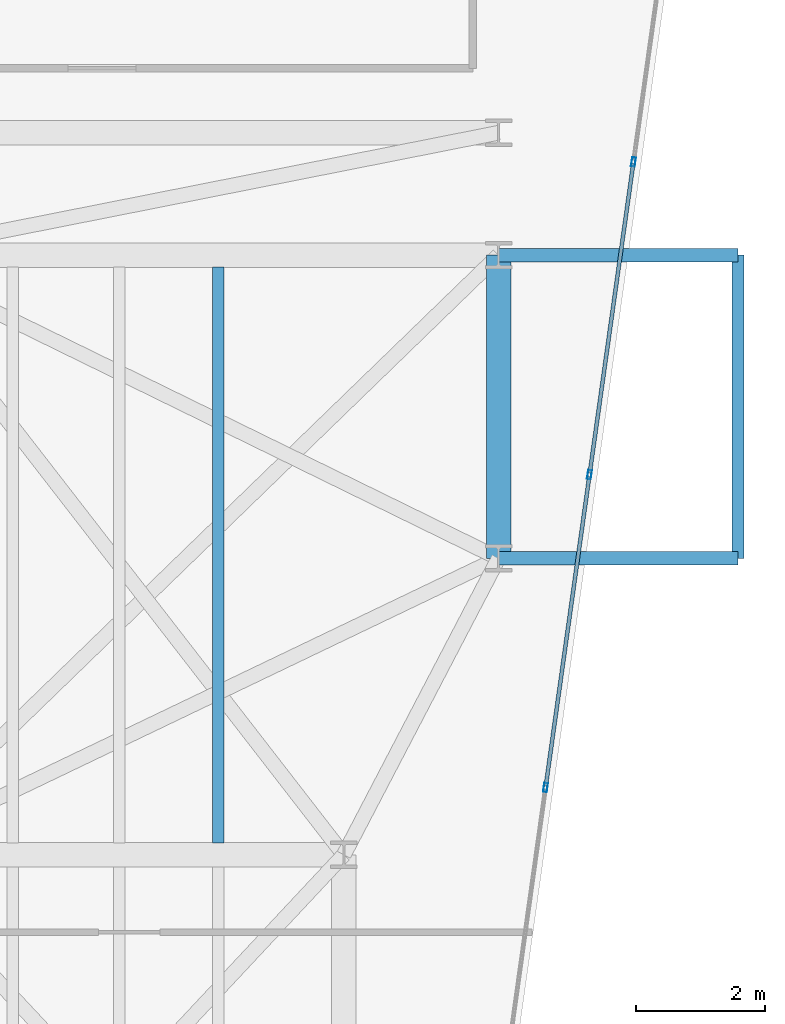
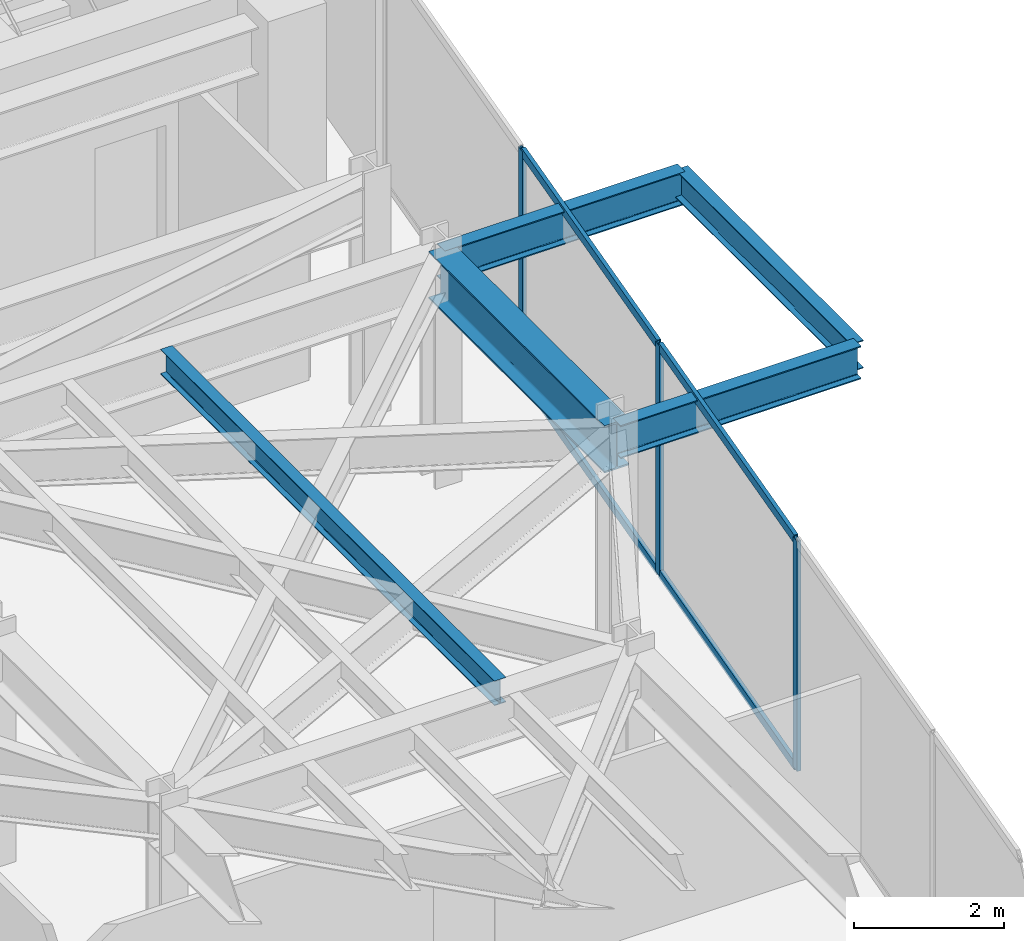
# One storey, part 14 of 21: 7 members, 5 beams, 1 element without a shape of its own.
"""IFC4 building model written with IfcOpenShell, lengths in metres."""

from ifc_helpers import new_model, si_unit, direction, frame, origin, origin_2d, place, context, subcontext, project, spatial, hollow_rectangle, i_section, extrude, material, layer, layer_set, material_profile, profile_set, type_object, element, aggregate, save


model = new_model("IFC4")

# Units and contexts
model_context = context("Model", 3, precision=1e-05, world=origin(), true_north=direction((0.0, 1.0)))
body_context = subcontext(model_context, "Body", "Model", "MODEL_VIEW")
ifc_project = project(units=[si_unit("LENGTHUNIT", "METRE"), si_unit("AREAUNIT", "SQUARE_METRE"), si_unit("VOLUMEUNIT", "CUBIC_METRE"), si_unit("PLANEANGLEUNIT", "RADIAN"), si_unit("MASSUNIT", "GRAM", prefix="KILO")], contexts=[model_context])

# Site, building, storey
site_placement = place(None, origin())
site = spatial("IfcSite", under=ifc_project, at=site_placement, CompositionType="ELEMENT")
building_placement = place(site_placement, origin())
building = spatial("IfcBuilding", under=site, at=building_placement, Name="Kravanh Interchange Tower", CompositionType="ELEMENT")
storey_placement = place(building_placement, frame((0.0, 0.0, 160.5)))
storey = spatial("IfcBuildingStorey", under=building, at=storey_placement, Name="L38", CompositionType="ELEMENT", Elevation=160.5)

# Curtain wall, members
ifc_material_1 = material(Name="Anodised Bronze Aluminium", Category="aluminium")
ifc_layer = layer(ifc_material_1, 0.179931640625)
ifc_layer_set = layer_set([ifc_layer], Name="Unitised Curtain Wall System CW-Z3 Upper Office")
curtain_wall_type = type_object("IfcCurtainWallType", Name="Unitised Curtain Wall System CW-Z3 Upper Office", PredefinedType="NOTDEFINED", material=ifc_layer_set)
curtain_wall_placement = place(storey_placement, origin())
curtain_wall = element("IfcCurtainWall", 1, at=curtain_wall_placement, inside=storey, type_object=curtain_wall_type, Name="L38 Unitised Curtain Wall CW-L38-01", PredefinedType="NOTDEFINED")
ifc_material_2 = material(Name="Anodised Bronze Aluminium", Category="aluminium")
ifc_material_profile_1 = material_profile(ifc_material_2, hollow_rectangle(XDim=0.06005859375, YDim=0.139892578125, WallThickness=0.00390625, at=origin_2d()), Name="ALU60X140X4")
ifc_profile_set_1 = profile_set([ifc_material_profile_1], Name="Anodised Bronze Aluminium")
member_type_1 = type_object("IfcMemberType", Name="Curtain Wall Mullion ALU60X140X4 Bronze", PredefinedType="MULLION", material=ifc_profile_set_1)
member_1_placement = place(storey_placement, frame((67.693115234375, 32.9482421875, 0.0), z_axis=(0.0, 0.0, 1.0), x_axis=(0.990268194035, -0.139172209446, 0.0)))
member_1 = element("IfcMember", 2, at=member_1_placement, type_object=member_type_1, Name="CW-Z3 mullion 2", PredefinedType="MULLION", context=body_context, shape_type="SweptSolid", body=[
    extrude(hollow_rectangle(XDim=0.06005859375, YDim=0.139892578125, WallThickness=0.00390625, at=origin_2d()), origin(), (0.0, 0.0, 1.0), 3.7548828125),
])
member_2_placement = place(storey_placement, frame((67.01123046875, 28.09619140625, 0.0), z_axis=(0.0, 0.0, 1.0), x_axis=(0.990268194035, -0.139172209446, 0.0)))
member_2 = element("IfcMember", 3, at=member_2_placement, type_object=member_type_1, Name="CW-Z3 mullion 3", PredefinedType="MULLION", context=body_context, shape_type="SweptSolid", body=[
    extrude(hollow_rectangle(XDim=0.06005859375, YDim=0.139892578125, WallThickness=0.00390625, at=origin_2d()), origin(), (0.0, 0.0, 1.0), 3.7548828125),
])
member_3_placement = place(storey_placement, frame((66.329345703125, 23.244384765625, 0.0), z_axis=(0.0, 0.0, 1.0), x_axis=(0.990268194035, -0.139172209446, 0.0)))
member_3 = element("IfcMember", 4, at=member_3_placement, type_object=member_type_1, Name="CW-Z3 mullion 4", PredefinedType="MULLION", context=body_context, shape_type="SweptSolid", body=[
    extrude(hollow_rectangle(XDim=0.06005859375, YDim=0.139892578125, WallThickness=0.00390625, at=origin_2d()), origin(), (0.0, 0.0, 1.0), 3.7548828125),
])
ifc_material_3 = material(Name="Anodised Bronze Aluminium", Category="aluminium")
ifc_material_profile_2 = material_profile(ifc_material_3, hollow_rectangle(XDim=0.06005859375, YDim=0.139892578125, WallThickness=0.00390625, at=origin_2d()), Name="ALU60X140X4")
ifc_profile_set_2 = profile_set([ifc_material_profile_2], Name="Anodised Bronze Aluminium")
member_type_2 = type_object("IfcMemberType", Name="Curtain Wall Transom ALU60X140X4 Bronze", PredefinedType="USERDEFINED", material=ifc_profile_set_2)
member_4_placement = place(storey_placement, frame((67.68896484375, 32.91845703125, 0.030029296875), z_axis=(-0.139182174391, -0.990266793512, 0.0), x_axis=(0.990266793512, -0.139182174391, 0.0)))
member_4 = element("IfcMember", 5, at=member_4_placement, type_object=member_type_2, Name="CW-Z3 transom 2.1", ObjectType="TRANSOM", PredefinedType="USERDEFINED", context=body_context, shape_type="SweptSolid", body=[
    extrude(hollow_rectangle(XDim=0.06005859375, YDim=0.139892578125, WallThickness=0.00390625, at=origin_2d()), origin(), (0.0, 0.0, 1.0), 4.839599609375),
])
member_5_placement = place(storey_placement, frame((67.68896484375, 32.91845703125, 3.72509765625), z_axis=(-0.139182174391, -0.990266793512, 0.0), x_axis=(0.990266793512, -0.139182174391, 0.0)))
member_5 = element("IfcMember", 6, at=member_5_placement, type_object=member_type_2, Name="CW-Z3 transom 2.2", ObjectType="TRANSOM", PredefinedType="USERDEFINED", context=body_context, shape_type="SweptSolid", body=[
    extrude(hollow_rectangle(XDim=0.06005859375, YDim=0.139892578125, WallThickness=0.00390625, at=origin_2d()), origin(), (0.0, 0.0, 1.0), 4.839599609375),
])
member_6_placement = place(storey_placement, frame((67.007080078125, 28.066650390625, 0.030029296875), z_axis=(-0.139182174391, -0.990266793512, 0.0), x_axis=(0.990266793512, -0.139182174391, 0.0)))
member_6 = element("IfcMember", 7, at=member_6_placement, type_object=member_type_2, Name="CW-Z3 transom 3.1", ObjectType="TRANSOM", PredefinedType="USERDEFINED", context=body_context, shape_type="SweptSolid", body=[
    extrude(hollow_rectangle(XDim=0.06005859375, YDim=0.139892578125, WallThickness=0.00390625, at=origin_2d()), origin(), (0.0, 0.0, 1.0), 4.839599609375),
])
member_7_placement = place(storey_placement, frame((67.007080078125, 28.066650390625, 3.72509765625), z_axis=(-0.139182174391, -0.990266793512, 0.0), x_axis=(0.990266793512, -0.139182174391, 0.0)))
member_7 = element("IfcMember", 8, at=member_7_placement, type_object=member_type_2, Name="CW-Z3 transom 3.2", ObjectType="TRANSOM", PredefinedType="USERDEFINED", context=body_context, shape_type="SweptSolid", body=[
    extrude(hollow_rectangle(XDim=0.06005859375, YDim=0.139892578125, WallThickness=0.00390625, at=origin_2d()), origin(), (0.0, 0.0, 1.0), 4.839599609375),
])
aggregate(curtain_wall, [member_1, member_2, member_3, member_4, member_5, member_6, member_7])

# Beams
ifc_material_4 = material(Name="Structural Steel S355", Category="steel")
ifc_material_profile_3 = material_profile(ifc_material_4, i_section(OverallWidth=0.381103515625, OverallDepth=0.77294921875, WebThickness=0.0166015625, FlangeThickness=0.027099609375, FilletRadius=0.02490234375, at=origin_2d()), Name="W30X173")
ifc_profile_set_3 = profile_set([ifc_material_profile_3], Name="Structural Steel S355")
beam_type_1 = type_object("IfcBeamType", Name="Floor Beam W30X173 Structural Steel S355", PredefinedType="BEAM", material=ifc_profile_set_3)
beam_1_placement = place(storey_placement, frame((65.60009765625, 26.800048828125, 3.368408203125), z_axis=(0.0, 1.0, 0.0), x_axis=(-1.0, 0.0, 0.0)))
element("IfcBeam", 9, at=beam_1_placement, inside=storey, type_object=beam_type_1, Name="L38 Primary Floor Girder 57", PredefinedType="BEAM", context=body_context, shape_type="SweptSolid", body=[
    extrude(i_section(OverallWidth=0.381103515625, OverallDepth=0.77294921875, WebThickness=0.0166015625, FlangeThickness=0.027099609375, FilletRadius=0.02490234375, at=origin_2d()), origin(), (0.0, 0.0, 1.0), 4.699951171875),
])
ifc_material_5 = material(Name="Structural Steel S355", Category="steel")
ifc_material_profile_4 = material_profile(ifc_material_5, i_section(OverallWidth=0.177978515625, OverallDepth=0.406005859375, WebThickness=0.0078125, FlangeThickness=0.0126953125, FilletRadius=0.01611328125, at=origin_2d()), Name="W16X40")
ifc_profile_set_4 = profile_set([ifc_material_profile_4], Name="Structural Steel S355")
beam_type_2 = type_object("IfcBeamType", Name="Floor Joist W16X40 Structural Steel S355", PredefinedType="JOIST", material=ifc_profile_set_4)
beam_2_placement = place(storey_placement, frame((61.251953125, 22.385498046875, 3.552001953125), z_axis=(0.0, 1.0, 0.0), x_axis=(-1.0, 0.0, 0.0)))
element("IfcBeam", 10, at=beam_2_placement, inside=storey, type_object=beam_type_2, Name="L38 Secondary Floor Joist 12", PredefinedType="JOIST", context=body_context, shape_type="SweptSolid", body=[
    extrude(i_section(OverallWidth=0.177978515625, OverallDepth=0.406005859375, WebThickness=0.0078125, FlangeThickness=0.0126953125, FilletRadius=0.01611328125, at=origin_2d()), origin(), (0.0, 0.0, 1.0), 8.928955078125),
])
ifc_material_6 = material(Name="Structural Steel S355", Category="steel")
ifc_material_profile_5 = material_profile(ifc_material_6, i_section(OverallWidth=0.18994140625, OverallDepth=0.45703125, WebThickness=0.009033203125, FlangeThickness=0.014404296875, FilletRadius=0.01806640625, at=origin_2d()), Name="W18X50")
ifc_profile_set_5 = profile_set([ifc_material_profile_5], Name="Structural Steel S355")
beam_type_3 = type_object("IfcBeamType", Name="Floor Joist W18X50 Structural Steel S355", PredefinedType="JOIST", material=ifc_profile_set_5)
beam_3_placement = place(storey_placement, frame((69.31298828125, 26.800048828125, 3.526611328125), z_axis=(0.0, 1.0, 0.0), x_axis=(-1.0, 0.0, 0.0)))
element("IfcBeam", 11, at=beam_3_placement, inside=storey, type_object=beam_type_3, Name="L38 Balcony Edge Tie Beam E", PredefinedType="JOIST", context=body_context, shape_type="SweptSolid", body=[
    extrude(i_section(OverallWidth=0.18994140625, OverallDepth=0.45703125, WebThickness=0.009033203125, FlangeThickness=0.014404296875, FilletRadius=0.01806640625, at=origin_2d()), origin(), (0.0, 0.0, 1.0), 4.699951171875),
])
ifc_material_7 = material(Name="Structural Steel S355", Category="steel")
ifc_material_profile_6 = material_profile(ifc_material_7, i_section(OverallWidth=0.2099609375, OverallDepth=0.537109375, WebThickness=0.010986328125, FlangeThickness=0.017333984375, FilletRadius=0.02001953125, at=origin_2d()), Name="W21X68")
ifc_profile_set_6 = profile_set([ifc_material_profile_6], Name="Structural Steel S355")
beam_type_4 = type_object("IfcBeamType", Name="Floor Spandrel W21X68 Structural Steel S355", PredefinedType="SPANDREL", material=ifc_profile_set_6)
for number, where, z_axis, x_axis, name in (
    (12, (65.60009765625, 26.800048828125, 3.486572265625), (1.0, 0.0, 0.0), (0.0, 1.0, 0.0), "L38 Balcony Cantilever Outrigger E1"),
    (13, (65.60009765625, 31.5, 3.486572265625), (1.0, 0.0, 0.0), (0.0, 1.0, 0.0), "L38 Balcony Cantilever Outrigger E2"),
):
    element("IfcBeam", number, at=place(storey_placement, frame(where, z_axis=z_axis, x_axis=x_axis)), inside=storey, type_object=beam_type_4, Name=name, PredefinedType="SPANDREL", context=body_context, shape_type="SweptSolid", body=[
        extrude(i_section(OverallWidth=0.2099609375, OverallDepth=0.537109375, WebThickness=0.010986328125, FlangeThickness=0.017333984375, FilletRadius=0.02001953125, at=origin_2d()), origin(), (0.0, 0.0, 1.0), 3.712890625),
    ])

save(model, "model.ifc")
